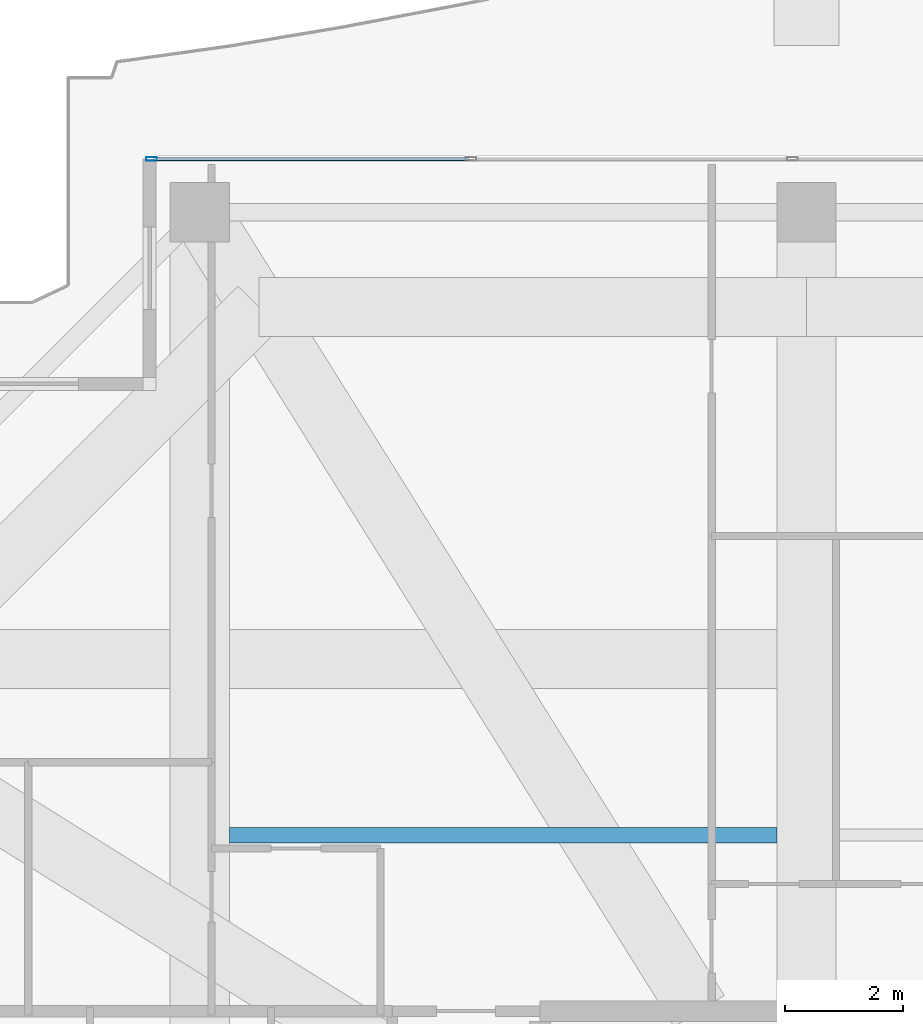
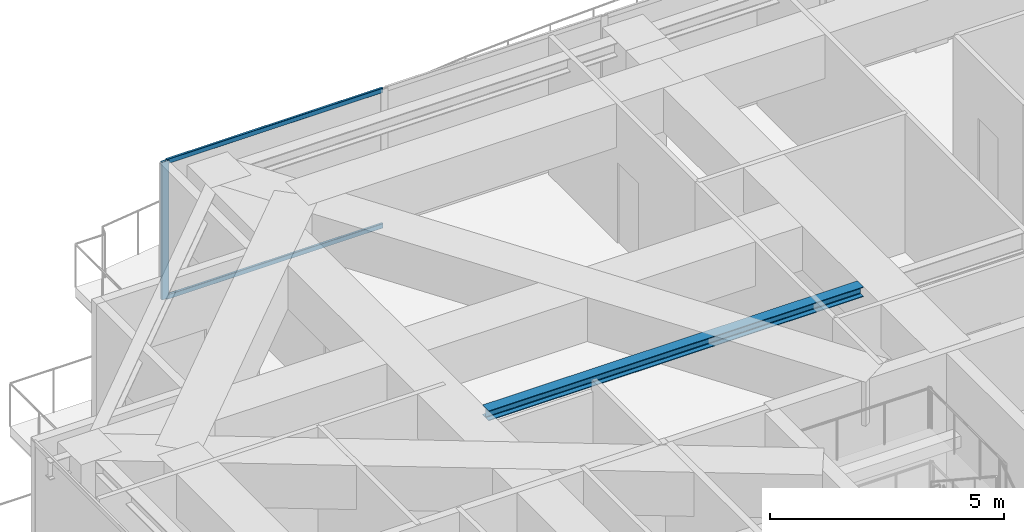
# One storey, part 22 of 40: 3 members, 1 beam, 1 element without a shape of its own.
"""IFC4 building model written with IfcOpenShell, lengths in metres."""

from ifc_helpers import new_model, si_unit, direction, frame, origin, origin_2d, place, context, subcontext, project, spatial, hollow_rectangle, i_section, extrude, source, transform, mapped, material, layer, layer_set, material_profile, profile_set, type_object, element, aggregate, save


model = new_model("IFC4")

# Units and contexts
model_context = context("Model", 3, precision=1e-05, world=origin(), true_north=direction((0.0, 1.0)))
body_context = subcontext(model_context, "Body", "Model", "MODEL_VIEW")
ifc_project = project(units=[si_unit("LENGTHUNIT", "METRE"), si_unit("AREAUNIT", "SQUARE_METRE"), si_unit("VOLUMEUNIT", "CUBIC_METRE"), si_unit("PLANEANGLEUNIT", "RADIAN"), si_unit("MASSUNIT", "GRAM", prefix="KILO")], contexts=[model_context])

# Site, building, storey
site_placement = place(None, origin())
site = spatial("IfcSite", under=ifc_project, at=site_placement, CompositionType="ELEMENT")
building_placement = place(site_placement, origin())
building = spatial("IfcBuilding", under=site, at=building_placement, Name="Serunith Strait Residences", CompositionType="ELEMENT")
storey_placement = place(building_placement, frame((0.0, 0.0, 333.949951171875)))
storey = spatial("IfcBuildingStorey", under=building, at=storey_placement, Name="L83", CompositionType="ELEMENT", Elevation=333.949951171875)

# Beam
ifc_material_1 = material(Name="Steel S355J2", Category="steel")
ifc_material_profile_1 = material_profile(ifc_material_1, i_section(OverallWidth=0.260009765625, OverallDepth=0.260009765625, WebThickness=0.010009765625, FlangeThickness=0.017578125, FilletRadius=0.02392578125, at=origin_2d()), Name="HEB 260")
ifc_profile_set_1 = profile_set([ifc_material_profile_1], Name="Steel S355J2")
beam_type = type_object("IfcBeamType", Name="BM-HEB260", PredefinedType="JOIST", material=ifc_profile_set_1)
shared_shape_1 = source(origin(), body_context, "Body", "SweptSolid", [
    extrude(i_section(OverallWidth=0.260009765625, OverallDepth=0.260009765625, WebThickness=0.010009765625, FlangeThickness=0.017578125, FilletRadius=0.02392578125, at=origin_2d()), origin(), (0.0, 0.0, 1.0), 9.25),
])
beam_placement = place(storey_placement, frame((18.14990234375, 36.574951171875, 3.47705078125), z_axis=(1.0, 0.0, 0.0), x_axis=(0.0, 1.0, 0.0)))
element("IfcBeam", 1, at=beam_placement, inside=storey, type_object=beam_type, Name="L83 Composite Floor Joist 04", PredefinedType="JOIST", context=body_context, shape_type="MappedRepresentation", body=[
    mapped(shared_shape_1, transform((0.0, 0.0, 0.0), scale=1.0)),
])

# Curtain wall, members
ifc_material_2 = material(Name="Brushed Stainless-Silver Aluminium", Category="aluminium")
ifc_layer = layer(ifc_material_2, 0.199951171875, Name="Brushed Stainless-Silver Aluminium")
ifc_layer_set = layer_set([ifc_layer], Name="Brushed Stainless-Silver Aluminium")
curtain_wall_type = type_object("IfcCurtainWallType", Name="CW-SYS5", PredefinedType="NOTDEFINED", material=ifc_layer_set)
curtain_wall_placement = place(storey_placement, origin())
curtain_wall = element("IfcCurtainWall", 2, at=curtain_wall_placement, inside=storey, type_object=curtain_wall_type, Name="L83 N Unitised Fritted Curtain Wall", PredefinedType="NOTDEFINED")
ifc_material_profile_2 = material_profile(ifc_material_2, hollow_rectangle(XDim=0.06005859375, YDim=0.1201171875, WallThickness=0.00341796875, InnerFilletRadius=0.00537109375, OuterFilletRadius=0.0087890625, at=origin_2d()), Name="ALU 120x60x3.5")
ifc_profile_set_2 = profile_set([ifc_material_profile_2], Name="Brushed Stainless-Silver Aluminium")
member_type_1 = type_object("IfcMemberType", Name="CW-SYS5-TRAN", PredefinedType="USERDEFINED", material=ifc_profile_set_2)
shared_shape_2 = source(origin(), body_context, "Body", "SweptSolid", [
    extrude(hollow_rectangle(XDim=0.06005859375, YDim=0.1201171875, WallThickness=0.00341796875, InnerFilletRadius=0.00537109375, OuterFilletRadius=0.0087890625, at=origin_2d()), origin(), (0.0, 0.0, 1.0), 5.3359375),
])
member_1_placement = place(storey_placement, frame((22.200927734375, 48.0, 0.030029296875), z_axis=(-1.0, 0.0, 0.0), x_axis=(0.0, -1.0, 0.0)))
member_1 = element("IfcMember", 3, at=member_1_placement, type_object=member_type_1, Name="CW-5 transom 3.1", ObjectType="TRANSOM", PredefinedType="USERDEFINED", context=body_context, shape_type="MappedRepresentation", body=[
    mapped(shared_shape_2, transform((0.0, 0.0, 0.0), scale=1.0)),
])
member_2_placement = place(storey_placement, frame((22.200927734375, 48.0, 3.56494140625), z_axis=(-1.0, 0.0, 0.0), x_axis=(0.0, -1.0, 0.0)))
member_2 = element("IfcMember", 4, at=member_2_placement, type_object=member_type_1, Name="CW-5 transom 3.2", ObjectType="TRANSOM", PredefinedType="USERDEFINED", context=body_context, shape_type="MappedRepresentation", body=[
    mapped(shared_shape_2, transform((0.0, 0.0, 0.0), scale=1.0)),
])
ifc_material_profile_3 = material_profile(ifc_material_2, hollow_rectangle(XDim=0.06494140625, YDim=0.179931640625, WallThickness=0.00341796875, InnerFilletRadius=0.00537109375, OuterFilletRadius=0.0087890625, at=origin_2d()), Name="ALU 180x65x3.5")
ifc_profile_set_3 = profile_set([ifc_material_profile_3], Name="Brushed Stainless-Silver Aluminium")
member_type_2 = type_object("IfcMemberType", Name="CW-SYS5-MULL", PredefinedType="MULLION", material=ifc_profile_set_3)
shared_shape_3 = source(origin(), body_context, "Body", "SweptSolid", [
    extrude(hollow_rectangle(XDim=0.06494140625, YDim=0.179931640625, WallThickness=0.00341796875, InnerFilletRadius=0.00537109375, OuterFilletRadius=0.0087890625, at=origin_2d()), origin(), (0.0, 0.0, 1.0), 3.594970703125),
])
member_3_placement = place(storey_placement, frame((16.83251953125, 48.0, 0.0), z_axis=(0.0, 0.0, 1.0), x_axis=(0.0, -1.0, 0.0)))
member_3 = element("IfcMember", 5, at=member_3_placement, type_object=member_type_2, Name="CW-5 mullion 4", PredefinedType="MULLION", context=body_context, shape_type="MappedRepresentation", body=[
    mapped(shared_shape_3, transform((0.0, 0.0, 0.0), scale=1.0)),
])
aggregate(curtain_wall, [member_3, member_1, member_2])

save(model, "model.ifc")
